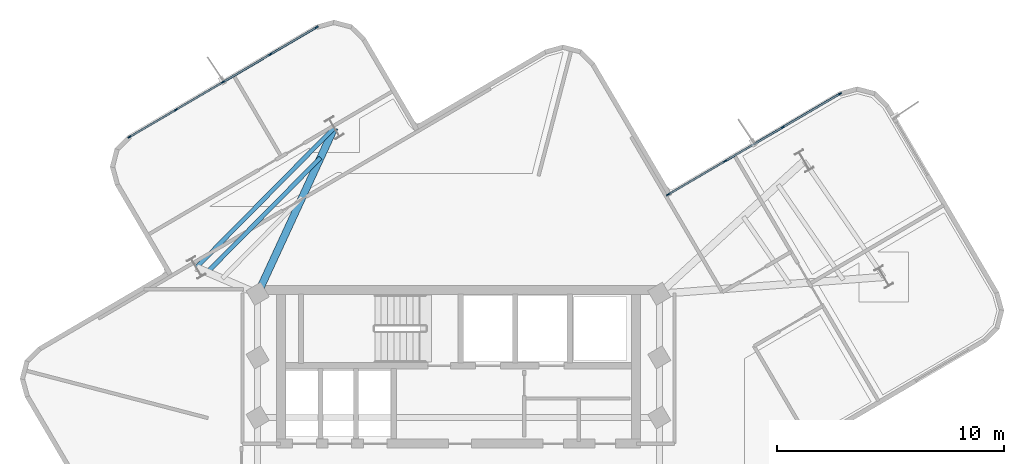
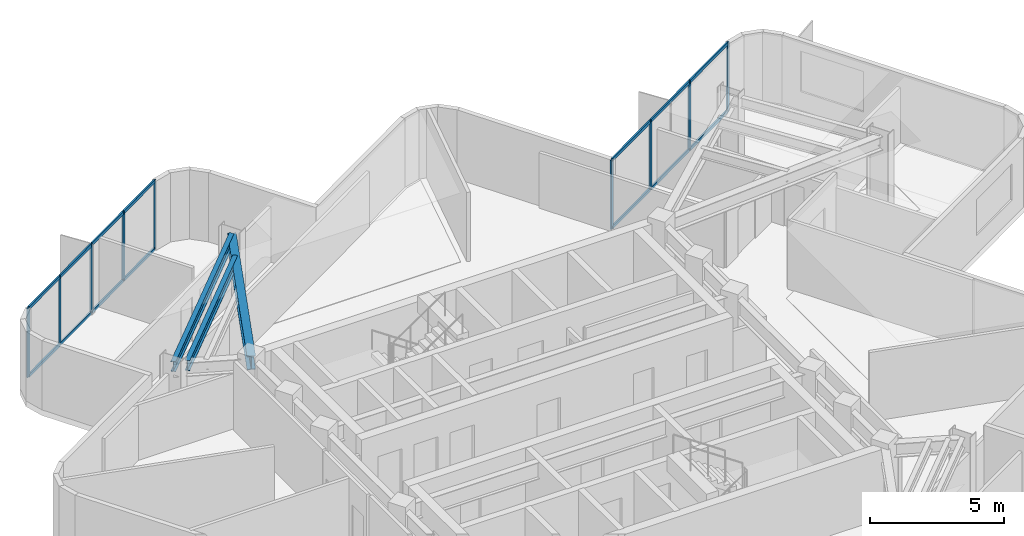
# One storey, part 2 of 8: 23 members, 3 beams, 2 elements without a shape of their own.
"""IFC4 building model written with IfcOpenShell, lengths in metres."""

from ifc_helpers import new_model, si_unit, direction, frame, origin, origin_2d, place, context, subcontext, project, spatial, rectangle, i_section, extrude, material, layer, layer_set, material_profile, profile_set, type_object, element, aggregate, save


model = new_model("IFC4")

# Units and contexts
model_context = context("Model", 3, precision=1e-05, world=origin(), true_north=direction((0.0, 1.0)))
body_context = subcontext(model_context, "Body", "Model", "MODEL_VIEW")
ifc_project = project(units=[si_unit("LENGTHUNIT", "METRE"), si_unit("AREAUNIT", "SQUARE_METRE"), si_unit("VOLUMEUNIT", "CUBIC_METRE"), si_unit("PLANEANGLEUNIT", "RADIAN"), si_unit("MASSUNIT", "GRAM", prefix="KILO")], contexts=[model_context])

# Site, building, storey
site_placement = place(None, origin())
site = spatial("IfcSite", under=ifc_project, at=site_placement, CompositionType="ELEMENT")
building_placement = place(site_placement, origin())
building = spatial("IfcBuilding", under=site, at=building_placement, Name="Solmarez Civic Tower", CompositionType="ELEMENT")
storey_placement = place(building_placement, frame((0.0, 0.0, 205.199951171875)))
storey = spatial("IfcBuildingStorey", under=building, at=storey_placement, Name="L54", CompositionType="ELEMENT", Elevation=205.199951171875)

# Beams
ifc_material_1 = material(Name="Steel S355", Category="steel")
ifc_material_profile_1 = material_profile(ifc_material_1, i_section(OverallWidth=0.19189453125, OverallDepth=0.462890625, WebThickness=0.010498046875, FlangeThickness=0.017578125, at=origin_2d()), Name="W18X60")
ifc_profile_set_1 = profile_set([ifc_material_profile_1], Name="Steel S355")
beam_type_1 = type_object("IfcBeamType", Name="BM-JS-W18X60", PredefinedType="JOIST", material=ifc_profile_set_1)
beam_1_placement = place(storey_placement, frame((-5.468017578125, 15.6708984375, 2.928955078125), z_axis=(-0.702766092364, -0.711420986072, 0.0), x_axis=(0.711420986072, -0.702766092364, 0.0)))
element("IfcBeam", 1, at=beam_1_placement, inside=storey, type_object=beam_type_1, Name="L54 Secondary Floor Joist BM-L54-NA-T1", PredefinedType="JOIST", context=body_context, shape_type="SweptSolid", body=[
    extrude(i_section(OverallWidth=0.19189453125, OverallDepth=0.462890625, WebThickness=0.010498046875, FlangeThickness=0.017578125, at=origin_2d()), origin(), (0.0, 0.0, 1.0), 8.659912109375),
])
beam_2_placement = place(storey_placement, frame((-6.076904296875, 14.35302734375, 2.928955078125), z_axis=(-0.702726827997, -0.711459770622, 0.0), x_axis=(0.711459770622, -0.702726827997, 0.0)))
element("IfcBeam", 2, at=beam_2_placement, inside=storey, type_object=beam_type_1, Name="L54 Secondary Floor Joist JS-L54-NA-M12", PredefinedType="JOIST", context=body_context, shape_type="SweptSolid", body=[
    extrude(i_section(OverallWidth=0.19189453125, OverallDepth=0.462890625, WebThickness=0.010498046875, FlangeThickness=0.017578125, at=origin_2d()), origin(), (0.0, 0.0, 1.0), 7.100830078125),
])
ifc_material_profile_2 = material_profile(ifc_material_1, i_section(OverallWidth=0.327880859375, OverallDepth=0.6220703125, WebThickness=0.015380859375, FlangeThickness=0.0244140625, at=origin_2d()), Name="W24X131")
ifc_profile_set_2 = profile_set([ifc_material_profile_2], Name="Steel S355")
beam_type_2 = type_object("IfcBeamType", Name="BM-PR-W24X131", PredefinedType="BEAM", material=ifc_profile_set_2)
beam_3_placement = place(storey_placement, frame((-8.85009765625, 8.35009765625, 2.84912109375), z_axis=(0.419390280967, 0.907806032273, 0.0), x_axis=(-0.907806032273, 0.419390280967, 0.0)))
element("IfcBeam", 3, at=beam_3_placement, inside=storey, type_object=beam_type_2, Name="L54 Primary Floor Beam BM-L54-NA-R1A", PredefinedType="BEAM", context=body_context, shape_type="SweptSolid", body=[
    extrude(i_section(OverallWidth=0.327880859375, OverallDepth=0.6220703125, WebThickness=0.015380859375, FlangeThickness=0.0244140625, at=origin_2d()), origin(), (0.0, 0.0, 1.0), 8.064208984375),
])

# Curtain wall, members
ifc_material_2 = material(Name="Bronze Anodised Aluminium EN AW-6063 T6", Category="aluminium")
ifc_layer = layer(ifc_material_2, 0.1650390625)
ifc_layer_set = layer_set([ifc_layer], Name="Bronze Anodised Aluminium EN AW-6063 T6")
curtain_wall_type = type_object("IfcCurtainWallType", Name="CW-SYS-4", PredefinedType="NOTDEFINED", material=ifc_layer_set)
curtain_wall_1_placement = place(storey_placement, origin())
curtain_wall_1 = element("IfcCurtainWall", 4, at=curtain_wall_1_placement, inside=storey, type_object=curtain_wall_type, Name="L54 Stick-Built Curtain Wall 1", PredefinedType="NOTDEFINED")
ifc_material_profile_3 = material_profile(ifc_material_2, rectangle(XDim=0.06005859375, YDim=0.14990234375, at=origin_2d()), Name="CWM-60X150")
ifc_profile_set_3 = profile_set([ifc_material_profile_3], Name="Bronze Anodised Aluminium EN AW-6063 T6")
member_type_1 = type_object("IfcMemberType", Name="CWM-TYPE-4", PredefinedType="MULLION", material=ifc_profile_set_3)
member_1_placement = place(storey_placement, frame((-14.498046875, 15.26123046875, 0.0), z_axis=(0.0, 0.0, 1.0), x_axis=(-0.506098089236, 0.862475926662, 0.0)))
member_1 = element("IfcMember", 5, at=member_1_placement, type_object=member_type_1, Name="CWS4 mullion 1", PredefinedType="MULLION", context=body_context, shape_type="SweptSolid", body=[
    extrude(rectangle(XDim=0.06005859375, YDim=0.14990234375, at=origin_2d()), origin(), (0.0, 0.0, 1.0), 3.16015625),
])
member_2_placement = place(storey_placement, frame((-12.44873046875, 16.4638671875, 0.0), z_axis=(0.0, 0.0, 1.0), x_axis=(-0.506098089236, 0.862475926662, 0.0)))
member_2 = element("IfcMember", 6, at=member_2_placement, type_object=member_type_1, Name="CWS4 mullion 2", PredefinedType="MULLION", context=body_context, shape_type="SweptSolid", body=[
    extrude(rectangle(XDim=0.06005859375, YDim=0.14990234375, at=origin_2d()), origin(), (0.0, 0.0, 1.0), 3.16015625),
])
member_3_placement = place(storey_placement, frame((-10.37353515625, 17.681396484375, 0.0), z_axis=(0.0, 0.0, 1.0), x_axis=(-0.506098089236, 0.862475926662, 0.0)))
member_3 = element("IfcMember", 7, at=member_3_placement, type_object=member_type_1, Name="CWS4 mullion 3", PredefinedType="MULLION", context=body_context, shape_type="SweptSolid", body=[
    extrude(rectangle(XDim=0.06005859375, YDim=0.14990234375, at=origin_2d()), origin(), (0.0, 0.0, 1.0), 3.16015625),
])
member_4_placement = place(storey_placement, frame((-8.29833984375, 18.899169921875, 0.0), z_axis=(0.0, 0.0, 1.0), x_axis=(-0.506098089236, 0.862475926662, 0.0)))
member_4 = element("IfcMember", 8, at=member_4_placement, type_object=member_type_1, Name="CWS4 mullion 4", PredefinedType="MULLION", context=body_context, shape_type="SweptSolid", body=[
    extrude(rectangle(XDim=0.06005859375, YDim=0.14990234375, at=origin_2d()), origin(), (0.0, 0.0, 1.0), 3.16015625),
])
member_5_placement = place(storey_placement, frame((-6.248779296875, 20.101806640625, 0.0), z_axis=(0.0, 0.0, 1.0), x_axis=(-0.506098089236, 0.862475926662, 0.0)))
member_5 = element("IfcMember", 9, at=member_5_placement, type_object=member_type_1, Name="CWS4 mullion 5", PredefinedType="MULLION", context=body_context, shape_type="SweptSolid", body=[
    extrude(rectangle(XDim=0.06005859375, YDim=0.14990234375, at=origin_2d()), origin(), (0.0, 0.0, 1.0), 3.16015625),
])

curtain_wall_2_placement = place(storey_placement, origin())
curtain_wall_2 = element("IfcCurtainWall", 10, at=curtain_wall_2_placement, inside=storey, type_object=curtain_wall_type, Name="L54 Stick-Built Curtain Wall 2", PredefinedType="NOTDEFINED")
member_6_placement = place(storey_placement, frame((9.23193359375, 12.72216796875, 0.0), z_axis=(0.0, 0.0, 1.0), x_axis=(-0.50588783611, 0.862599268071, 0.0)))
member_6 = element("IfcMember", 11, at=member_6_placement, type_object=member_type_1, Name="CWS4 mullion 1", PredefinedType="MULLION", context=body_context, shape_type="SweptSolid", body=[
    extrude(rectangle(XDim=0.06005859375, YDim=0.14990234375, at=origin_2d()), origin(), (0.0, 0.0, 1.0), 3.16015625),
])
member_7_placement = place(storey_placement, frame((11.748291015625, 14.197998046875, 0.0), z_axis=(0.0, 0.0, 1.0), x_axis=(-0.50588783611, 0.862599268071, 0.0)))
member_7 = element("IfcMember", 12, at=member_7_placement, type_object=member_type_1, Name="CWS4 mullion 2", PredefinedType="MULLION", context=body_context, shape_type="SweptSolid", body=[
    extrude(rectangle(XDim=0.06005859375, YDim=0.14990234375, at=origin_2d()), origin(), (0.0, 0.0, 1.0), 3.16015625),
])
member_8_placement = place(storey_placement, frame((14.290771484375, 15.68896484375, 0.0), z_axis=(0.0, 0.0, 1.0), x_axis=(-0.50588783611, 0.862599268071, 0.0)))
member_8 = element("IfcMember", 13, at=member_8_placement, type_object=member_type_1, Name="CWS4 mullion 3", PredefinedType="MULLION", context=body_context, shape_type="SweptSolid", body=[
    extrude(rectangle(XDim=0.06005859375, YDim=0.14990234375, at=origin_2d()), origin(), (0.0, 0.0, 1.0), 3.16015625),
])
member_9_placement = place(storey_placement, frame((16.80712890625, 17.164794921875, 0.0), z_axis=(0.0, 0.0, 1.0), x_axis=(-0.50588783611, 0.862599268071, 0.0)))
member_9 = element("IfcMember", 14, at=member_9_placement, type_object=member_type_1, Name="CWS4 mullion 4", PredefinedType="MULLION", context=body_context, shape_type="SweptSolid", body=[
    extrude(rectangle(XDim=0.06005859375, YDim=0.14990234375, at=origin_2d()), origin(), (0.0, 0.0, 1.0), 3.16015625),
])

# Member
ifc_material_profile_4 = material_profile(ifc_material_2, rectangle(XDim=0.070068359375, YDim=0.139892578125, at=origin_2d()), Name="CWT-70X140")
ifc_profile_set_4 = profile_set([ifc_material_profile_4], Name="Bronze Anodised Aluminium EN AW-6063 T6")
member_type_2 = type_object("IfcMemberType", Name="CWT-TYPE-1", PredefinedType="USERDEFINED", material=ifc_profile_set_4)
member_10_placement = place(storey_placement, frame((-14.47216796875, 15.2763671875, 0.03515625), z_axis=(0.862483803121, 0.506084666192, 0.0), x_axis=(-0.506084666192, 0.862483803121, 0.0)))
member_10 = element("IfcMember", 15, at=member_10_placement, type_object=member_type_2, Name="CWS4 transom 1.1", ObjectType="TRANSOM", PredefinedType="USERDEFINED", context=body_context, shape_type="SweptSolid", body=[
    extrude(rectangle(XDim=0.070068359375, YDim=0.139892578125, at=origin_2d()), origin(), (0.0, 0.0, 1.0), 2.316162109375),
])

member_11_placement = place(storey_placement, frame((-14.47216796875, 15.2763671875, 3.125), z_axis=(0.862483803121, 0.506084666192, 0.0), x_axis=(-0.506084666192, 0.862483803121, 0.0)))
member_11 = element("IfcMember", 16, at=member_11_placement, type_object=member_type_2, Name="CWS4 transom 1.2", ObjectType="TRANSOM", PredefinedType="USERDEFINED", context=body_context, shape_type="SweptSolid", body=[
    extrude(rectangle(XDim=0.070068359375, YDim=0.139892578125, at=origin_2d()), origin(), (0.0, 0.0, 1.0), 2.316162109375),
])

member_12_placement = place(storey_placement, frame((-12.4228515625, 16.47900390625, 0.03515625), z_axis=(0.862492807725, 0.506069319977, 0.0), x_axis=(-0.506069319977, 0.862492807725, 0.0)))
member_12 = element("IfcMember", 17, at=member_12_placement, type_object=member_type_2, Name="CWS4 transom 2.1", ObjectType="TRANSOM", PredefinedType="USERDEFINED", context=body_context, shape_type="SweptSolid", body=[
    extrude(rectangle(XDim=0.070068359375, YDim=0.139892578125, at=origin_2d()), origin(), (0.0, 0.0, 1.0), 2.345947265625),
])

member_13_placement = place(storey_placement, frame((-12.4228515625, 16.47900390625, 3.125), z_axis=(0.862492807725, 0.506069319977, 0.0), x_axis=(-0.506069319977, 0.862492807725, 0.0)))
member_13 = element("IfcMember", 18, at=member_13_placement, type_object=member_type_2, Name="CWS4 transom 2.2", ObjectType="TRANSOM", PredefinedType="USERDEFINED", context=body_context, shape_type="SweptSolid", body=[
    extrude(rectangle(XDim=0.070068359375, YDim=0.139892578125, at=origin_2d()), origin(), (0.0, 0.0, 1.0), 2.345947265625),
])

member_14_placement = place(storey_placement, frame((-10.34765625, 17.69677734375, 0.03515625), z_axis=(0.862492807725, 0.506069319977, 0.0), x_axis=(-0.506069319977, 0.862492807725, 0.0)))
member_14 = element("IfcMember", 19, at=member_14_placement, type_object=member_type_2, Name="CWS4 transom 3.1", ObjectType="TRANSOM", PredefinedType="USERDEFINED", context=body_context, shape_type="SweptSolid", body=[
    extrude(rectangle(XDim=0.070068359375, YDim=0.139892578125, at=origin_2d()), origin(), (0.0, 0.0, 1.0), 2.345947265625),
])

member_15_placement = place(storey_placement, frame((-10.34765625, 17.69677734375, 3.125), z_axis=(0.862492807725, 0.506069319977, 0.0), x_axis=(-0.506069319977, 0.862492807725, 0.0)))
member_15 = element("IfcMember", 20, at=member_15_placement, type_object=member_type_2, Name="CWS4 transom 3.2", ObjectType="TRANSOM", PredefinedType="USERDEFINED", context=body_context, shape_type="SweptSolid", body=[
    extrude(rectangle(XDim=0.070068359375, YDim=0.139892578125, at=origin_2d()), origin(), (0.0, 0.0, 1.0), 2.345947265625),
])

member_16_placement = place(storey_placement, frame((-8.2724609375, 18.91455078125, 0.03515625), z_axis=(0.862510797827, 0.506038658239, 0.0), x_axis=(-0.506038658239, 0.862510797827, 0.0)))
member_16 = element("IfcMember", 21, at=member_16_placement, type_object=member_type_2, Name="CWS4 transom 4.1", ObjectType="TRANSOM", PredefinedType="USERDEFINED", context=body_context, shape_type="SweptSolid", body=[
    extrude(rectangle(XDim=0.070068359375, YDim=0.139892578125, at=origin_2d()), origin(), (0.0, 0.0, 1.0), 2.316162109375),
])

member_17_placement = place(storey_placement, frame((-8.2724609375, 18.91455078125, 3.125), z_axis=(0.862510797827, 0.506038658239, 0.0), x_axis=(-0.506038658239, 0.862510797827, 0.0)))
member_17 = element("IfcMember", 22, at=member_17_placement, type_object=member_type_2, Name="CWS4 transom 4.2", ObjectType="TRANSOM", PredefinedType="USERDEFINED", context=body_context, shape_type="SweptSolid", body=[
    extrude(rectangle(XDim=0.070068359375, YDim=0.139892578125, at=origin_2d()), origin(), (0.0, 0.0, 1.0), 2.316162109375),
])

aggregate(curtain_wall_1, [member_1, member_2, member_3, member_4, member_5, member_10, member_11, member_12, member_13, member_14, member_15, member_16, member_17])

member_18_placement = place(storey_placement, frame((9.2578125, 12.7373046875, 0.03515625), z_axis=(0.862577111253, 0.505925614238, 0.0), x_axis=(-0.505925614238, 0.862577111253, 0.0)))
member_18 = element("IfcMember", 23, at=member_18_placement, type_object=member_type_2, Name="CWS4 transom 1.1", ObjectType="TRANSOM", PredefinedType="USERDEFINED", context=body_context, shape_type="SweptSolid", body=[
    extrude(rectangle(XDim=0.070068359375, YDim=0.139892578125, at=origin_2d()), origin(), (0.0, 0.0, 1.0), 2.857177734375),
])

member_19_placement = place(storey_placement, frame((9.2578125, 12.7373046875, 3.125), z_axis=(0.862577111253, 0.505925614238, 0.0), x_axis=(-0.505925614238, 0.862577111253, 0.0)))
member_19 = element("IfcMember", 24, at=member_19_placement, type_object=member_type_2, Name="CWS4 transom 1.2", ObjectType="TRANSOM", PredefinedType="USERDEFINED", context=body_context, shape_type="SweptSolid", body=[
    extrude(rectangle(XDim=0.070068359375, YDim=0.139892578125, at=origin_2d()), origin(), (0.0, 0.0, 1.0), 2.857177734375),
])

member_20_placement = place(storey_placement, frame((11.774169921875, 14.213134765625, 0.03515625), z_axis=(0.862605097402, 0.505877896271, 0.0), x_axis=(-0.505877896271, 0.862605097402, 0.0)))
member_20 = element("IfcMember", 25, at=member_20_placement, type_object=member_type_2, Name="CWS4 transom 2.1", ObjectType="TRANSOM", PredefinedType="USERDEFINED", context=body_context, shape_type="SweptSolid", body=[
    extrude(rectangle(XDim=0.070068359375, YDim=0.139892578125, at=origin_2d()), origin(), (0.0, 0.0, 1.0), 2.887451171875),
])

member_21_placement = place(storey_placement, frame((11.774169921875, 14.213134765625, 3.125), z_axis=(0.862605097402, 0.505877896271, 0.0), x_axis=(-0.505877896271, 0.862605097402, 0.0)))
member_21 = element("IfcMember", 26, at=member_21_placement, type_object=member_type_2, Name="CWS4 transom 2.2", ObjectType="TRANSOM", PredefinedType="USERDEFINED", context=body_context, shape_type="SweptSolid", body=[
    extrude(rectangle(XDim=0.070068359375, YDim=0.139892578125, at=origin_2d()), origin(), (0.0, 0.0, 1.0), 2.887451171875),
])

member_22_placement = place(storey_placement, frame((14.316650390625, 15.7041015625, 0.03515625), z_axis=(0.862577111253, 0.505925614238, 0.0), x_axis=(-0.505925614238, 0.862577111253, 0.0)))
member_22 = element("IfcMember", 27, at=member_22_placement, type_object=member_type_2, Name="CWS4 transom 3.1", ObjectType="TRANSOM", PredefinedType="USERDEFINED", context=body_context, shape_type="SweptSolid", body=[
    extrude(rectangle(XDim=0.070068359375, YDim=0.139892578125, at=origin_2d()), origin(), (0.0, 0.0, 1.0), 2.857177734375),
])

member_23_placement = place(storey_placement, frame((14.316650390625, 15.7041015625, 3.125), z_axis=(0.862577111253, 0.505925614238, 0.0), x_axis=(-0.505925614238, 0.862577111253, 0.0)))
member_23 = element("IfcMember", 28, at=member_23_placement, type_object=member_type_2, Name="CWS4 transom 3.2", ObjectType="TRANSOM", PredefinedType="USERDEFINED", context=body_context, shape_type="SweptSolid", body=[
    extrude(rectangle(XDim=0.070068359375, YDim=0.139892578125, at=origin_2d()), origin(), (0.0, 0.0, 1.0), 2.857177734375),
])

aggregate(curtain_wall_2, [member_6, member_7, member_8, member_9, member_18, member_19, member_20, member_21, member_22, member_23])

save(model, "model.ifc")
